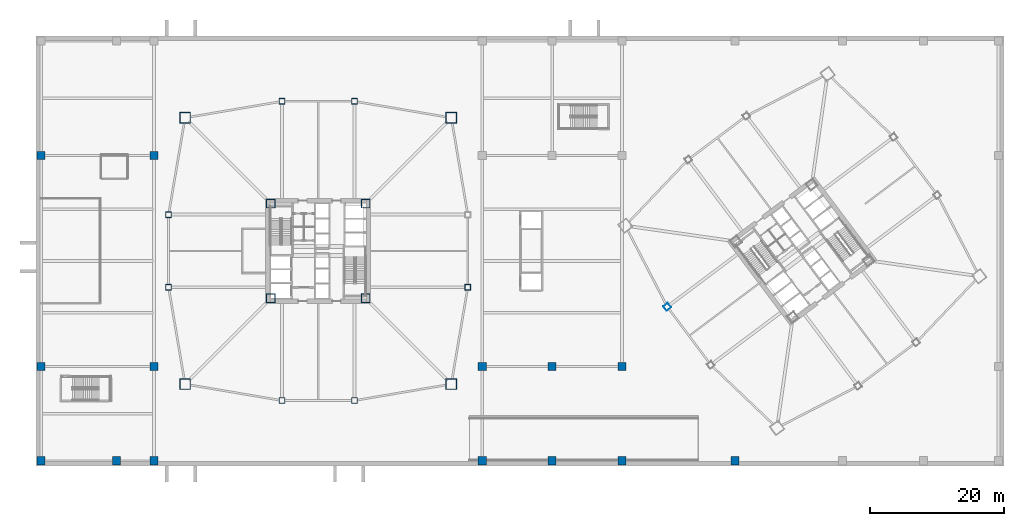
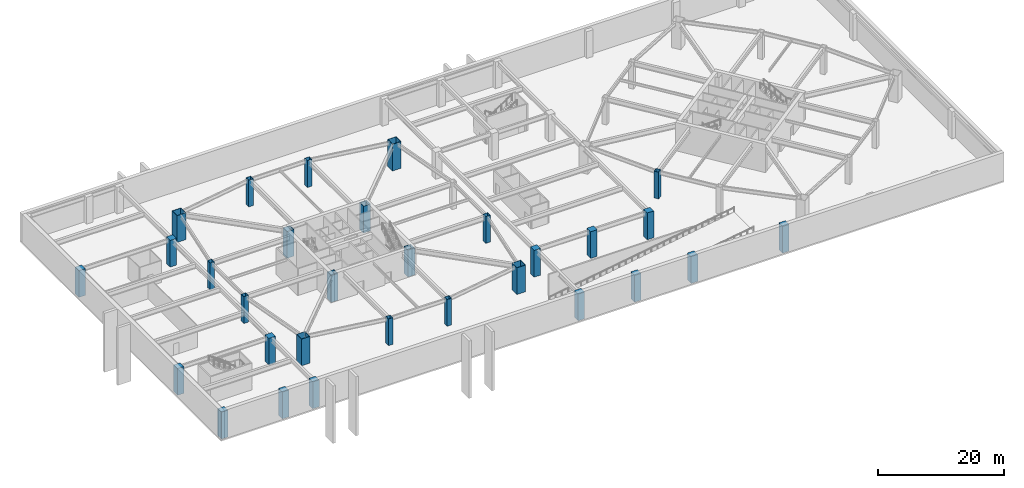
# One storey, part 1 of 17: 30 columns.
"""IFC4 building model written with IfcOpenShell, lengths in metres."""

from ifc_helpers import new_model, si_unit, direction, frame, origin, origin_2d, place, context, subcontext, project, spatial, rectangle, hollow_rectangle, extrude, material, material_profile, profile_set, type_object, element, save


model = new_model("IFC4")

# Units and contexts
model_context = context("Model", 3, precision=1e-05, world=origin(), true_north=direction((0.0, 1.0)))
body_context = subcontext(model_context, "Body", "Model", "MODEL_VIEW")
ifc_project = project(units=[si_unit("LENGTHUNIT", "METRE"), si_unit("AREAUNIT", "SQUARE_METRE"), si_unit("VOLUMEUNIT", "CUBIC_METRE"), si_unit("PLANEANGLEUNIT", "RADIAN"), si_unit("MASSUNIT", "GRAM", prefix="KILO")], contexts=[model_context])

# Site, building, storey
site_placement = place(None, origin())
site = spatial("IfcSite", under=ifc_project, at=site_placement, CompositionType="ELEMENT")
building_placement = place(site_placement, origin())
building = spatial("IfcBuilding", under=site, at=building_placement, Name="Tashvorn Skyway Center", CompositionType="ELEMENT")
storey_placement = place(building_placement, frame((0.0, 0.0, -5.5)))
storey = spatial("IfcBuildingStorey", under=building, at=storey_placement, Name="B1", CompositionType="ELEMENT", Elevation=-5.5)

# Columns
ifc_material_1 = material(Name="Steel ASTM A572 Grade 50", Category="steel")
ifc_material_profile_1 = material_profile(ifc_material_1, hollow_rectangle(XDim=1.300048828125, YDim=1.300048828125, WallThickness=0.050048828125, at=origin_2d()), Name="BOX1300x1300x50")
ifc_profile_set_1 = profile_set([ifc_material_profile_1], Name="Steel ASTM A572 Grade 50")
column_type_1 = type_object("IfcColumnType", Name="COL-BOX1300x1300x50", PredefinedType="COLUMN", material=ifc_profile_set_1)
for number, where, z_axis, x_axis, name in (
    (1, (34.949951171875, 24.949951171875, 0.0), (0.0, 0.0, 1.0), (1.0, 0.0, 0.0), "Tower 1 B1 Core Corner Column CC-SW"),
    (2, (49.050048828125, 24.949951171875, 0.0), (0.0, 0.0, 1.0), (1.0, 0.0, 0.0), "Tower 1 B1 Core Corner Column CC-SE"),
    (3, (49.050048828125, 39.050048828125, 0.0), (0.0, 0.0, 1.0), (1.0, 0.0, 0.0), "Tower 1 B1 Core Corner Column CC-NE"),
    (4, (34.949951171875, 39.050048828125, 0.0), (0.0, 0.0, 1.0), (1.0, 0.0, 0.0), "Tower 1 B1 Core Corner Column CC-NW"),
):
    element("IfcColumn", number, at=place(storey_placement, frame(where, z_axis=z_axis, x_axis=x_axis)), inside=storey, type_object=column_type_1, Name=name, PredefinedType="COLUMN", context=body_context, shape_type="SweptSolid", body=[
        extrude(hollow_rectangle(XDim=1.300048828125, YDim=1.300048828125, WallThickness=0.050048828125, at=origin_2d()), origin(), (0.0, 0.0, 1.0), 5.199951171875),
    ])
ifc_material_profile_2 = material_profile(ifc_material_1, hollow_rectangle(XDim=1.60009765625, YDim=1.60009765625, WallThickness=0.06005859375, at=origin_2d()), Name="BOX1600x1600x60")
ifc_profile_set_2 = profile_set([ifc_material_profile_2], Name="Steel ASTM A572 Grade 50")
column_type_2 = type_object("IfcColumnType", Name="COL-BOX1600x1600x60", PredefinedType="COLUMN", material=ifc_profile_set_2)
for number, where, z_axis, x_axis, name in (
    (5, (22.199951171875, 12.199951171875, 0.0), (0.0, 0.0, 1.0), (1.0, 0.0, 0.0), "Tower 1 B1 Mega-Column MC-SW"),
    (6, (61.800048828125, 12.199951171875, 0.0), (0.0, 0.0, 1.0), (1.0, 0.0, 0.0), "Tower 1 B1 Mega-Column MC-SE"),
    (7, (61.800048828125, 51.800048828125, 0.0), (0.0, 0.0, 1.0), (1.0, 0.0, 0.0), "Tower 1 B1 Mega-Column MC-NE"),
    (8, (22.199951171875, 51.800048828125, 0.0), (0.0, 0.0, 1.0), (1.0, 0.0, 0.0), "Tower 1 B1 Mega-Column MC-NW"),
):
    element("IfcColumn", number, at=place(storey_placement, frame(where, z_axis=z_axis, x_axis=x_axis)), inside=storey, type_object=column_type_2, Name=name, PredefinedType="COLUMN", context=body_context, shape_type="SweptSolid", body=[
        extrude(hollow_rectangle(XDim=1.60009765625, YDim=1.60009765625, WallThickness=0.06005859375, at=origin_2d()), origin(), (0.0, 0.0, 1.0), 5.199951171875),
    ])
ifc_material_profile_3 = material_profile(ifc_material_1, hollow_rectangle(XDim=0.85009765625, YDim=0.85009765625, WallThickness=0.034912109375, at=origin_2d()), Name="BOX850x850x35")
ifc_profile_set_3 = profile_set([ifc_material_profile_3], Name="Steel ASTM A572 Grade 50")
column_type_3 = type_object("IfcColumnType", Name="COL-BOX850x850x35", PredefinedType="COLUMN", material=ifc_profile_set_3)
for number, where, z_axis, x_axis, name in (
    (9, (36.60009765625, 9.75, 0.0), (0.0, 0.0, 1.0), (1.0, 0.0, 0.0), "Tower 1 B1 Perimeter Column FC-S1"),
    (10, (47.39990234375, 9.75, 0.0), (0.0, 0.0, 1.0), (1.0, 0.0, 0.0), "Tower 1 B1 Perimeter Column FC-S2"),
    (11, (64.25, 26.60009765625, 0.0), (0.0, 0.0, 1.0), (1.0, 0.0, 0.0), "Tower 1 B1 Perimeter Column FC-E1"),
    (12, (47.39990234375, 54.25, 0.0), (0.0, 0.0, 1.0), (1.0, 0.0, 0.0), "Tower 1 B1 Perimeter Column FC-N1"),
    (13, (36.60009765625, 54.25, 0.0), (0.0, 0.0, 1.0), (1.0, 0.0, 0.0), "Tower 1 B1 Perimeter Column FC-N2"),
    (14, (19.75, 37.39990234375, 0.0), (0.0, 0.0, 1.0), (1.0, 0.0, 0.0), "Tower 1 B1 Perimeter Column FC-W1"),
    (15, (19.75, 26.60009765625, 0.0), (0.0, 0.0, 1.0), (1.0, 0.0, 0.0), "Tower 1 B1 Perimeter Column FC-W2"),
    (16, (93.919921875, 23.68994140625, 0.0), (0.0, 0.0, 1.0), (0.799999996291, 0.600000004945, 0.0), "Tower 2 B1 Perimeter Column FC-W1"),
):
    element("IfcColumn", number, at=place(storey_placement, frame(where, z_axis=z_axis, x_axis=x_axis)), inside=storey, type_object=column_type_3, Name=name, PredefinedType="COLUMN", context=body_context, shape_type="SweptSolid", body=[
        extrude(hollow_rectangle(XDim=0.85009765625, YDim=0.85009765625, WallThickness=0.034912109375, at=origin_2d()), origin(), (0.0, 0.0, 1.0), 5.199951171875),
    ])
ifc_material_2 = material(Name="Concrete C50/60", Category="concrete")
ifc_material_profile_4 = material_profile(ifc_material_2, rectangle(XDim=1.199951171875, YDim=1.199951171875, at=origin_2d()), Name="RC1200x1200")
ifc_profile_set_4 = profile_set([ifc_material_profile_4], Name="Concrete C50/60")
column_type_4 = type_object("IfcColumnType", Name="COL-RC1200x1200", PredefinedType="COLUMN", material=ifc_profile_set_4)
for number, where, z_axis, x_axis, name in (
    (17, (0.800048828125, 0.800048828125, 0.0), (0.0, 0.0, 1.0), (1.0, 0.0, 0.0), "B1 Podium Column PC-01-1"),
    (18, (12.0, 0.800048828125, 0.0), (0.0, 0.0, 1.0), (1.0, 0.0, 0.0), "B1 Podium Column PC-02-1"),
    (19, (17.60009765625, 0.800048828125, 0.0), (0.0, 0.0, 1.0), (1.0, 0.0, 0.0), "B1 Podium Column PC-03-1"),
    (20, (66.39990234375, 0.800048828125, 0.0), (0.0, 0.0, 1.0), (1.0, 0.0, 0.0), "B1 Podium Column PC-04-1"),
    (21, (76.800048828125, 0.800048828125, 0.0), (0.0, 0.0, 1.0), (1.0, 0.0, 0.0), "B1 Podium Column PC-05-1"),
    (22, (87.199951171875, 0.800048828125, 0.0), (0.0, 0.0, 1.0), (1.0, 0.0, 0.0), "B1 Podium Column PC-06-1"),
    (23, (104.0, 0.800048828125, 0.0), (0.0, 0.0, 1.0), (1.0, 0.0, 0.0), "B1 Podium Column PC-07-1"),
    (24, (0.800048828125, 14.800048828125, 0.0), (0.0, 0.0, 1.0), (1.0, 0.0, 0.0), "B1 Podium Column PIC-01-1"),
    (25, (0.800048828125, 46.199951171875, 0.0), (0.0, 0.0, 1.0), (1.0, 0.0, 0.0), "B1 Podium Column PIC-01-2"),
    (26, (17.60009765625, 14.800048828125, 0.0), (0.0, 0.0, 1.0), (1.0, 0.0, 0.0), "B1 Podium Column PIC-02-1"),
    (27, (17.60009765625, 46.199951171875, 0.0), (0.0, 0.0, 1.0), (1.0, 0.0, 0.0), "B1 Podium Column PIC-02-2"),
    (28, (66.39990234375, 14.800048828125, 0.0), (0.0, 0.0, 1.0), (1.0, 0.0, 0.0), "B1 Podium Column PIC-03-1"),
    (29, (76.800048828125, 14.800048828125, 0.0), (0.0, 0.0, 1.0), (1.0, 0.0, 0.0), "B1 Podium Column PIC-04-1"),
    (30, (87.199951171875, 14.800048828125, 0.0), (0.0, 0.0, 1.0), (1.0, 0.0, 0.0), "B1 Podium Column PIC-05-1"),
):
    element("IfcColumn", number, at=place(storey_placement, frame(where, z_axis=z_axis, x_axis=x_axis)), inside=storey, type_object=column_type_4, Name=name, PredefinedType="COLUMN", context=body_context, shape_type="SweptSolid", body=[
        extrude(rectangle(XDim=1.199951171875, YDim=1.199951171875, at=origin_2d()), origin(), (0.0, 0.0, 1.0), 5.199951171875),
    ])

save(model, "model.ifc")
